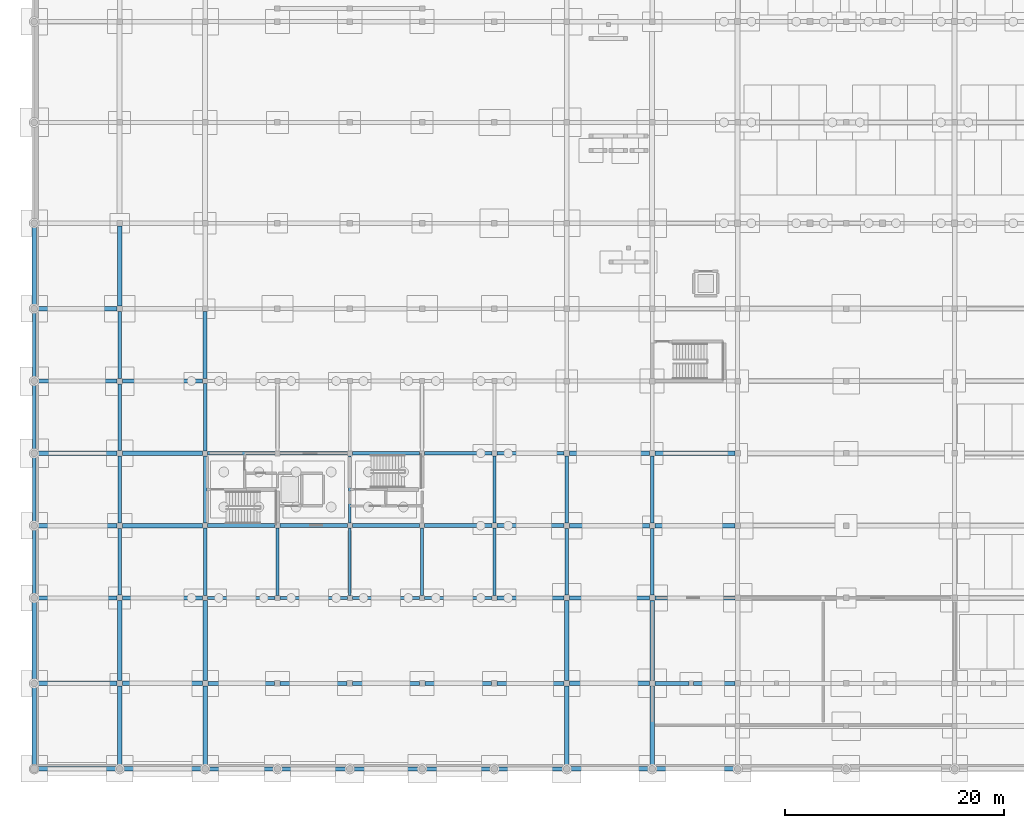
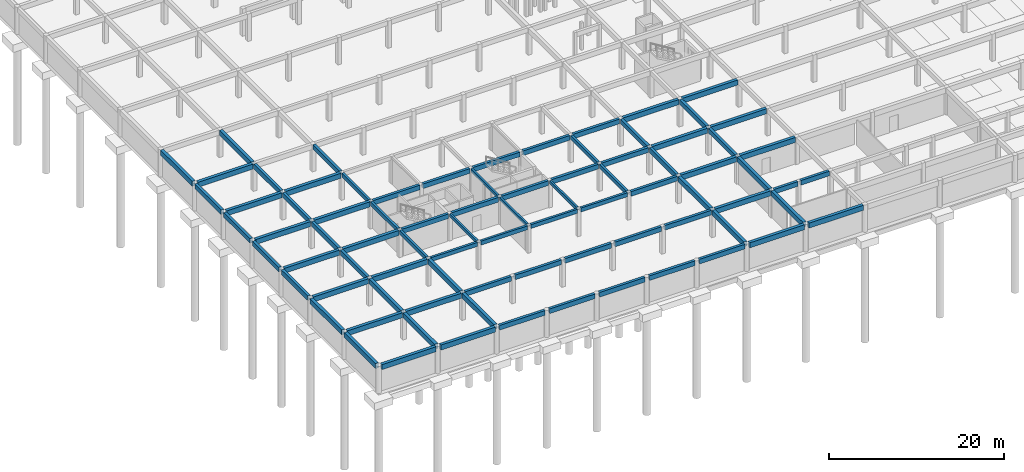
# One storey, part 15 of 37: 83 beams.
"""IFC4 building model written with IfcOpenShell, lengths in metres."""

from ifc_helpers import new_model, si_unit, direction, frame, origin, origin_2d, place, context, subcontext, project, spatial, rectangle, extrude, material, material_profile, profile_set, type_object, element, save


model = new_model("IFC4")

# Units and contexts
model_context = context("Model", 3, precision=1e-05, world=origin(), true_north=direction((0.0, 1.0)))
body_context = subcontext(model_context, "Body", "Model", "MODEL_VIEW")
ifc_project = project(units=[si_unit("LENGTHUNIT", "METRE"), si_unit("AREAUNIT", "SQUARE_METRE"), si_unit("VOLUMEUNIT", "CUBIC_METRE"), si_unit("PLANEANGLEUNIT", "RADIAN"), si_unit("MASSUNIT", "GRAM", prefix="KILO")], contexts=[model_context])

# Site, building, storey
site_placement = place(None, origin())
site = spatial("IfcSite", under=ifc_project, at=site_placement, CompositionType="ELEMENT")
building_placement = place(site_placement, origin())
building = spatial("IfcBuilding", under=site, at=building_placement, Name="Kernevlak Ridge Housing Community", CompositionType="ELEMENT")
storey_placement = place(building_placement, frame((0.0, 0.0, -3.800048828125)))
storey = spatial("IfcBuildingStorey", under=building, at=storey_placement, Name="B1", CompositionType="ELEMENT", Elevation=-3.800048828125)

# Beams
ifc_material = material(Name="Concrete C35/45", Category="concrete")
ifc_material_profile_1 = material_profile(ifc_material, rectangle(XDim=0.39990234375, YDim=0.699951171875, at=origin_2d()), Name="RC 400x700")
ifc_profile_set_1 = profile_set([ifc_material_profile_1], Name="Concrete C35/45")
beam_type_1 = type_object("IfcBeamType", Name="B-01", PredefinedType="BEAM", material=ifc_profile_set_1)
beam_1_placement = place(storey_placement, frame((0.35009765625, 0.0, 3.449951171875), z_axis=(1.0, 0.0, 0.0), x_axis=(0.0, 1.0, 0.0)))
element("IfcBeam", 1, at=beam_1_placement, inside=storey, type_object=beam_type_1, Name="Beam B-01 B1 1533", PredefinedType="BEAM", context=body_context, shape_type="SweptSolid", body=[
    extrude(rectangle(XDim=0.39990234375, YDim=0.699951171875, at=origin_2d()), origin(), (0.0, 0.0, 1.0), 7.14990234375),
])
beam_2_placement = place(storey_placement, frame((8.10009765625, 0.0, 3.449951171875), z_axis=(1.0, 0.0, 0.0), x_axis=(0.0, 1.0, 0.0)))
element("IfcBeam", 2, at=beam_2_placement, inside=storey, type_object=beam_type_1, Name="Beam B-01 B1 1534", PredefinedType="BEAM", context=body_context, shape_type="SweptSolid", body=[
    extrude(rectangle(XDim=0.39990234375, YDim=0.699951171875, at=origin_2d()), origin(), (0.0, 0.0, 1.0), 7.199951171875),
])
beam_3_placement = place(storey_placement, frame((48.89990234375, 0.0, 3.449951171875), z_axis=(1.0, 0.0, 0.0), x_axis=(0.0, 1.0, 0.0)))
element("IfcBeam", 3, at=beam_3_placement, inside=storey, type_object=beam_type_1, Name="Beam B-01 B1 1540", PredefinedType="BEAM", context=body_context, shape_type="SweptSolid", body=[
    extrude(rectangle(XDim=0.39990234375, YDim=0.699951171875, at=origin_2d()), origin(), (0.0, 0.0, 1.0), 7.2001953125),
])
beam_4_placement = place(storey_placement, frame((56.699951171875, 0.0, 3.449951171875), z_axis=(1.0, 0.0, 0.0), x_axis=(0.0, 1.0, 0.0)))
element("IfcBeam", 4, at=beam_4_placement, inside=storey, type_object=beam_type_1, Name="Beam B-01 B1 1541", PredefinedType="BEAM", context=body_context, shape_type="SweptSolid", body=[
    extrude(rectangle(XDim=0.39990234375, YDim=0.699951171875, at=origin_2d()), origin(), (0.0, 0.0, 1.0), 7.199951171875),
])
beam_5_placement = place(storey_placement, frame((0.300048828125, 7.800048828125, 3.449951171875), z_axis=(1.0, 0.0, 0.0), x_axis=(0.0, 1.0, 0.0)))
element("IfcBeam", 5, at=beam_5_placement, inside=storey, type_object=beam_type_1, Name="Beam B-01 B1 1558", PredefinedType="BEAM", context=body_context, shape_type="SweptSolid", body=[
    extrude(rectangle(XDim=0.39990234375, YDim=0.699951171875, at=origin_2d()), origin(), (0.0, 0.0, 1.0), 7.25),
])
beam_6_placement = place(storey_placement, frame((8.050048828125, 7.800048828125, 3.449951171875), z_axis=(1.0, 0.0, 0.0), x_axis=(0.0, 1.0, 0.0)))
element("IfcBeam", 6, at=beam_6_placement, inside=storey, type_object=beam_type_1, Name="Beam B-01 B1 1559", PredefinedType="BEAM", context=body_context, shape_type="SweptSolid", body=[
    extrude(rectangle(XDim=0.39990234375, YDim=0.699951171875, at=origin_2d()), origin(), (0.0, 0.0, 1.0), 7.300048828125),
])
beam_7_placement = place(storey_placement, frame((48.85009765625, 7.800048828125, 3.449951171875), z_axis=(1.0, 0.0, 0.0), x_axis=(0.0, 1.0, 0.0)))
element("IfcBeam", 7, at=beam_7_placement, inside=storey, type_object=beam_type_1, Name="Beam B-01 B1 1565", PredefinedType="BEAM", context=body_context, shape_type="SweptSolid", body=[
    extrude(rectangle(XDim=0.39990234375, YDim=0.699951171875, at=origin_2d()), origin(), (0.0, 0.0, 1.0), 7.2998046875),
])
beam_8_placement = place(storey_placement, frame((0.300048828125, 15.60009765625, 3.449951171875), z_axis=(1.0, 0.0, 0.0), x_axis=(0.0, 1.0, 0.0)))
element("IfcBeam", 8, at=beam_8_placement, inside=storey, type_object=beam_type_1, Name="Beam B-01 B1 1585", PredefinedType="BEAM", context=body_context, shape_type="SweptSolid", body=[
    extrude(rectangle(XDim=0.39990234375, YDim=0.699951171875, at=origin_2d()), origin(), (0.0, 0.0, 1.0), 7.25),
])
beam_9_placement = place(storey_placement, frame((8.050048828125, 15.60009765625, 3.449951171875), z_axis=(1.0, 0.0, 0.0), x_axis=(0.0, 1.0, 0.0)))
element("IfcBeam", 9, at=beam_9_placement, inside=storey, type_object=beam_type_1, Name="Beam B-01 B1 1586", PredefinedType="BEAM", context=body_context, shape_type="SweptSolid", body=[
    extrude(rectangle(XDim=0.39990234375, YDim=0.699951171875, at=origin_2d()), origin(), (0.0, 0.0, 1.0), 7.324951171875),
])
beam_10_placement = place(storey_placement, frame((48.85009765625, 15.60009765625, 3.449951171875), z_axis=(1.0, 0.0, 0.0), x_axis=(0.0, 1.0, 0.0)))
element("IfcBeam", 10, at=beam_10_placement, inside=storey, type_object=beam_type_1, Name="Beam B-01 B1 1588", PredefinedType="BEAM", context=body_context, shape_type="SweptSolid", body=[
    extrude(rectangle(XDim=0.39990234375, YDim=0.699951171875, at=origin_2d()), origin(), (0.0, 0.0, 1.0), 7.2998046875),
])
beam_11_placement = place(storey_placement, frame((56.64990234375, 15.60009765625, 3.449951171875), z_axis=(1.0, 0.0, 0.0), x_axis=(0.0, 1.0, 0.0)))
element("IfcBeam", 11, at=beam_11_placement, inside=storey, type_object=beam_type_1, Name="Beam B-01 B1 1589", PredefinedType="BEAM", context=body_context, shape_type="SweptSolid", body=[
    extrude(rectangle(XDim=0.39990234375, YDim=0.699951171875, at=origin_2d()), origin(), (0.0, 0.0, 1.0), 7.300048828125),
])
beam_12_placement = place(storey_placement, frame((0.300048828125, 22.199951171875, 3.449951171875), z_axis=(1.0, 0.0, 0.0), x_axis=(0.0, 1.0, 0.0)))
element("IfcBeam", 12, at=beam_12_placement, inside=storey, type_object=beam_type_1, Name="Beam B-01 B1 1599", PredefinedType="BEAM", context=body_context, shape_type="SweptSolid", body=[
    extrude(rectangle(XDim=0.39990234375, YDim=0.699951171875, at=origin_2d()), origin(), (0.0, 0.0, 1.0), 7.25),
])
beam_13_placement = place(storey_placement, frame((8.050048828125, 22.199951171875, 3.449951171875), z_axis=(1.0, 0.0, 0.0), x_axis=(0.0, 1.0, 0.0)))
element("IfcBeam", 13, at=beam_13_placement, inside=storey, type_object=beam_type_1, Name="Beam B-01 B1 1600", PredefinedType="BEAM", context=body_context, shape_type="SweptSolid", body=[
    extrude(rectangle(XDim=0.39990234375, YDim=0.699951171875, at=origin_2d()), origin(), (0.0, 0.0, 1.0), 7.324951171875),
])
beam_14_placement = place(storey_placement, frame((48.85009765625, 22.199951171875, 3.449951171875), z_axis=(1.0, 0.0, 0.0), x_axis=(0.0, 1.0, 0.0)))
element("IfcBeam", 14, at=beam_14_placement, inside=storey, type_object=beam_type_1, Name="Beam B-01 B1 1602", PredefinedType="BEAM", context=body_context, shape_type="SweptSolid", body=[
    extrude(rectangle(XDim=0.39990234375, YDim=0.699951171875, at=origin_2d()), origin(), (0.0, 0.0, 1.0), 7.2998046875),
])
beam_15_placement = place(storey_placement, frame((56.64990234375, 22.199951171875, 3.449951171875), z_axis=(1.0, 0.0, 0.0), x_axis=(0.0, 1.0, 0.0)))
element("IfcBeam", 15, at=beam_15_placement, inside=storey, type_object=beam_type_1, Name="Beam B-01 B1 1603", PredefinedType="BEAM", context=body_context, shape_type="SweptSolid", body=[
    extrude(rectangle(XDim=0.39990234375, YDim=0.699951171875, at=origin_2d()), origin(), (0.0, 0.0, 1.0), 7.300048828125),
])
beam_16_placement = place(storey_placement, frame((0.300048828125, 28.800048828125, 3.449951171875), z_axis=(1.0, 0.0, 0.0), x_axis=(0.0, 1.0, 0.0)))
element("IfcBeam", 16, at=beam_16_placement, inside=storey, type_object=beam_type_1, Name="Beam B-01 B1 1613", PredefinedType="BEAM", context=body_context, shape_type="SweptSolid", body=[
    extrude(rectangle(XDim=0.39990234375, YDim=0.699951171875, at=origin_2d()), origin(), (0.0, 0.0, 1.0), 7.25),
])
beam_17_placement = place(storey_placement, frame((8.050048828125, 28.800048828125, 3.449951171875), z_axis=(1.0, 0.0, 0.0), x_axis=(0.0, 1.0, 0.0)))
element("IfcBeam", 17, at=beam_17_placement, inside=storey, type_object=beam_type_1, Name="Beam B-01 B1 1614", PredefinedType="BEAM", context=body_context, shape_type="SweptSolid", body=[
    extrude(rectangle(XDim=0.39990234375, YDim=0.699951171875, at=origin_2d()), origin(), (0.0, 0.0, 1.0), 7.324951171875),
])
beam_18_placement = place(storey_placement, frame((48.85009765625, 28.800048828125, 3.449951171875), z_axis=(1.0, 0.0, 0.0), x_axis=(0.0, 1.0, 0.0)))
element("IfcBeam", 18, at=beam_18_placement, inside=storey, type_object=beam_type_1, Name="Beam B-01 B1 1616", PredefinedType="BEAM", context=body_context, shape_type="SweptSolid", body=[
    extrude(rectangle(XDim=0.39990234375, YDim=0.699951171875, at=origin_2d()), origin(), (0.0, 0.0, 1.0), 7.2998046875),
])
beam_19_placement = place(storey_placement, frame((56.64990234375, 28.800048828125, 3.449951171875), z_axis=(1.0, 0.0, 0.0), x_axis=(0.0, 1.0, 0.0)))
element("IfcBeam", 19, at=beam_19_placement, inside=storey, type_object=beam_type_1, Name="Beam B-01 B1 1617", PredefinedType="BEAM", context=body_context, shape_type="SweptSolid", body=[
    extrude(rectangle(XDim=0.39990234375, YDim=0.699951171875, at=origin_2d()), origin(), (0.0, 0.0, 1.0), 7.300048828125),
])
beam_20_placement = place(storey_placement, frame((0.300048828125, 35.39990234375, 3.449951171875), z_axis=(1.0, 0.0, 0.0), x_axis=(0.0, 1.0, 0.0)))
element("IfcBeam", 20, at=beam_20_placement, inside=storey, type_object=beam_type_1, Name="Beam B-01 B1 1627", PredefinedType="BEAM", context=body_context, shape_type="SweptSolid", body=[
    extrude(rectangle(XDim=0.39990234375, YDim=0.699951171875, at=origin_2d()), origin(), (0.0, 0.0, 1.0), 7.25),
])
beam_21_placement = place(storey_placement, frame((8.050048828125, 35.39990234375, 3.449951171875), z_axis=(1.0, 0.0, 0.0), x_axis=(0.0, 1.0, 0.0)))
element("IfcBeam", 21, at=beam_21_placement, inside=storey, type_object=beam_type_1, Name="Beam B-01 B1 1628", PredefinedType="BEAM", context=body_context, shape_type="SweptSolid", body=[
    extrude(rectangle(XDim=0.39990234375, YDim=0.699951171875, at=origin_2d()), origin(), (0.0, 0.0, 1.0), 7.324951171875),
])
beam_22_placement = place(storey_placement, frame((0.300048828125, 42.0, 3.449951171875), z_axis=(1.0, 0.0, 0.0), x_axis=(0.0, 1.0, 0.0)))
element("IfcBeam", 22, at=beam_22_placement, inside=storey, type_object=beam_type_1, Name="Beam B-01 B1 1641", PredefinedType="BEAM", context=body_context, shape_type="SweptSolid", body=[
    extrude(rectangle(XDim=0.39990234375, YDim=0.699951171875, at=origin_2d()), origin(), (0.0, 0.0, 1.0), 7.25),
])
beam_23_placement = place(storey_placement, frame((0.0, 0.35009765625, 3.449951171875), z_axis=(0.0, 1.0, 0.0), x_axis=(-1.0, 0.0, 0.0)))
element("IfcBeam", 23, at=beam_23_placement, inside=storey, type_object=beam_type_1, Name="Beam B-01 B1 1846", PredefinedType="BEAM", context=body_context, shape_type="SweptSolid", body=[
    extrude(rectangle(XDim=0.39990234375, YDim=0.699951171875, at=origin_2d()), origin(), (0.0, 0.0, 1.0), 7.14990234375),
])
for number, where, z_axis, x_axis, name in (
    (24, (0.0, 8.10009765625, 3.449951171875), (0.0, 1.0, 0.0), (-1.0, 0.0, 0.0), "Beam B-01 B1 1847"),
    (25, (0.0, 42.300048828125, 3.449951171875), (0.0, 1.0, 0.0), (-1.0, 0.0, 0.0), "Beam B-01 B1 1852"),
):
    element("IfcBeam", number, at=place(storey_placement, frame(where, z_axis=z_axis, x_axis=x_axis)), inside=storey, type_object=beam_type_1, Name=name, PredefinedType="BEAM", context=body_context, shape_type="SweptSolid", body=[
        extrude(rectangle(XDim=0.39990234375, YDim=0.699951171875, at=origin_2d()), origin(), (0.0, 0.0, 1.0), 7.199951171875),
    ])
beam_24_placement = place(storey_placement, frame((7.800048828125, 0.300048828125, 3.449951171875), z_axis=(0.0, 1.0, 0.0), x_axis=(-1.0, 0.0, 0.0)))
element("IfcBeam", 26, at=beam_24_placement, inside=storey, type_object=beam_type_1, Name="Beam B-01 B1 1862", PredefinedType="BEAM", context=body_context, shape_type="SweptSolid", body=[
    extrude(rectangle(XDim=0.39990234375, YDim=0.699951171875, at=origin_2d()), origin(), (0.0, 0.0, 1.0), 7.25),
])
for number, where, z_axis, x_axis, name in (
    (27, (7.800048828125, 8.050048828125, 3.449951171875), (0.0, 1.0, 0.0), (-1.0, 0.0, 0.0), "Beam B-01 B1 1863"),
    (28, (7.800048828125, 42.25, 3.449951171875), (0.0, 1.0, 0.0), (-1.0, 0.0, 0.0), "Beam B-01 B1 1868"),
):
    element("IfcBeam", number, at=place(storey_placement, frame(where, z_axis=z_axis, x_axis=x_axis)), inside=storey, type_object=beam_type_1, Name=name, PredefinedType="BEAM", context=body_context, shape_type="SweptSolid", body=[
        extrude(rectangle(XDim=0.39990234375, YDim=0.699951171875, at=origin_2d()), origin(), (0.0, 0.0, 1.0), 7.300048828125),
    ])
beam_25_placement = place(storey_placement, frame((15.60009765625, 0.300048828125, 3.449951171875), z_axis=(0.0, 1.0, 0.0), x_axis=(-1.0, 0.0, 0.0)))
element("IfcBeam", 29, at=beam_25_placement, inside=storey, type_object=beam_type_1, Name="Beam B-01 B1 1878", PredefinedType="BEAM", context=body_context, shape_type="SweptSolid", body=[
    extrude(rectangle(XDim=0.39990234375, YDim=0.699951171875, at=origin_2d()), origin(), (0.0, 0.0, 1.0), 7.25),
])
beam_26_placement = place(storey_placement, frame((15.60009765625, 8.050048828125, 3.449951171875), z_axis=(0.0, 1.0, 0.0), x_axis=(-1.0, 0.0, 0.0)))
element("IfcBeam", 30, at=beam_26_placement, inside=storey, type_object=beam_type_1, Name="Beam B-01 B1 1879", PredefinedType="BEAM", context=body_context, shape_type="SweptSolid", body=[
    extrude(rectangle(XDim=0.39990234375, YDim=0.699951171875, at=origin_2d()), origin(), (0.0, 0.0, 1.0), 7.324951171875),
])
beam_27_placement = place(storey_placement, frame((48.60009765625, 0.300048828125, 3.449951171875), z_axis=(0.0, 1.0, 0.0), x_axis=(-1.0, 0.0, 0.0)))
element("IfcBeam", 31, at=beam_27_placement, inside=storey, type_object=beam_type_1, Name="Beam B-01 B1 1888", PredefinedType="BEAM", context=body_context, shape_type="SweptSolid", body=[
    extrude(rectangle(XDim=0.39990234375, YDim=0.699951171875, at=origin_2d()), origin(), (0.0, 0.0, 1.0), 7.25),
])
beam_28_placement = place(storey_placement, frame((48.60009765625, 8.050048828125, 3.449951171875), z_axis=(0.0, 1.0, 0.0), x_axis=(-1.0, 0.0, 0.0)))
element("IfcBeam", 32, at=beam_28_placement, inside=storey, type_object=beam_type_1, Name="Beam B-01 B1 1889", PredefinedType="BEAM", context=body_context, shape_type="SweptSolid", body=[
    extrude(rectangle(XDim=0.39990234375, YDim=0.699951171875, at=origin_2d()), origin(), (0.0, 0.0, 1.0), 7.300048828125),
])
beam_29_placement = place(storey_placement, frame((56.39990234375, 0.300048828125, 3.449951171875), z_axis=(0.0, 1.0, 0.0), x_axis=(-1.0, 0.0, 0.0)))
element("IfcBeam", 33, at=beam_29_placement, inside=storey, type_object=beam_type_1, Name="Beam B-01 B1 1901", PredefinedType="BEAM", context=body_context, shape_type="SweptSolid", body=[
    extrude(rectangle(XDim=0.39990234375, YDim=0.699951171875, at=origin_2d()), origin(), (0.0, 0.0, 1.0), 7.25),
])
beam_30_placement = place(storey_placement, frame((56.39990234375, 8.050048828125, 3.449951171875), z_axis=(0.0, 1.0, 0.0), x_axis=(-1.0, 0.0, 0.0)))
element("IfcBeam", 34, at=beam_30_placement, inside=storey, type_object=beam_type_1, Name="Beam B-01 B1 1902", PredefinedType="BEAM", context=body_context, shape_type="SweptSolid", body=[
    extrude(rectangle(XDim=0.39990234375, YDim=0.699951171875, at=origin_2d()), origin(), (0.0, 0.0, 1.0), 7.300048828125),
])
ifc_material_profile_2 = material_profile(ifc_material, rectangle(XDim=0.35009765625, YDim=0.64990234375, at=origin_2d()), Name="RC 350x650")
ifc_profile_set_2 = profile_set([ifc_material_profile_2], Name="Concrete C35/45")
beam_type_2 = type_object("IfcBeamType", Name="B-02", PredefinedType="BEAM", material=ifc_profile_set_2)
beam_31_placement = place(storey_placement, frame((15.824951171875, 22.199951171875, 3.47509765625), z_axis=(1.0, 0.0, 0.0), x_axis=(0.0, 1.0, 0.0)))
element("IfcBeam", 35, at=beam_31_placement, inside=storey, type_object=beam_type_2, Name="Beam B-02 B1 1283", PredefinedType="BEAM", context=body_context, shape_type="SweptSolid", body=[
    extrude(rectangle(XDim=0.35009765625, YDim=0.64990234375, at=origin_2d()), origin(), (0.0, 0.0, 1.0), 6.150146484375),
])
beam_32_placement = place(storey_placement, frame((22.425048828125, 22.199951171875, 3.47509765625), z_axis=(1.0, 0.0, 0.0), x_axis=(0.0, 1.0, 0.0)))
element("IfcBeam", 36, at=beam_32_placement, inside=storey, type_object=beam_type_2, Name="Beam B-02 B1 1284", PredefinedType="BEAM", context=body_context, shape_type="SweptSolid", body=[
    extrude(rectangle(XDim=0.35009765625, YDim=0.64990234375, at=origin_2d()), origin(), (0.0, 0.0, 1.0), 6.14990234375),
])
beam_33_placement = place(storey_placement, frame((29.02490234375, 22.199951171875, 3.47509765625), z_axis=(1.0, 0.0, 0.0), x_axis=(0.0, 1.0, 0.0)))
element("IfcBeam", 37, at=beam_33_placement, inside=storey, type_object=beam_type_2, Name="Beam B-02 B1 1285", PredefinedType="BEAM", context=body_context, shape_type="SweptSolid", body=[
    extrude(rectangle(XDim=0.35009765625, YDim=0.64990234375, at=origin_2d()), origin(), (0.0, 0.0, 1.0), 6.150146484375),
])
beam_34_placement = place(storey_placement, frame((35.625, 22.199951171875, 3.47509765625), z_axis=(1.0, 0.0, 0.0), x_axis=(0.0, 1.0, 0.0)))
element("IfcBeam", 38, at=beam_34_placement, inside=storey, type_object=beam_type_2, Name="Beam B-02 B1 1286", PredefinedType="BEAM", context=body_context, shape_type="SweptSolid", body=[
    extrude(rectangle(XDim=0.35009765625, YDim=0.64990234375, at=origin_2d()), origin(), (0.0, 0.0, 1.0), 6.14990234375),
])
beam_35_placement = place(storey_placement, frame((15.824951171875, 28.800048828125, 3.47509765625), z_axis=(1.0, 0.0, 0.0), x_axis=(0.0, 1.0, 0.0)))
element("IfcBeam", 39, at=beam_35_placement, inside=storey, type_object=beam_type_2, Name="Beam B-02 B1 1287", PredefinedType="BEAM", context=body_context, shape_type="SweptSolid", body=[
    extrude(rectangle(XDim=0.35009765625, YDim=0.64990234375, at=origin_2d()), origin(), (0.0, 0.0, 1.0), 6.150146484375),
])
beam_36_placement = place(storey_placement, frame((22.425048828125, 28.800048828125, 3.47509765625), z_axis=(1.0, 0.0, 0.0), x_axis=(0.0, 1.0, 0.0)))
element("IfcBeam", 40, at=beam_36_placement, inside=storey, type_object=beam_type_2, Name="Beam B-02 B1 1288", PredefinedType="BEAM", context=body_context, shape_type="SweptSolid", body=[
    extrude(rectangle(XDim=0.35009765625, YDim=0.64990234375, at=origin_2d()), origin(), (0.0, 0.0, 1.0), 6.14990234375),
])
beam_37_placement = place(storey_placement, frame((29.02490234375, 28.800048828125, 3.47509765625), z_axis=(1.0, 0.0, 0.0), x_axis=(0.0, 1.0, 0.0)))
element("IfcBeam", 41, at=beam_37_placement, inside=storey, type_object=beam_type_2, Name="Beam B-02 B1 1289", PredefinedType="BEAM", context=body_context, shape_type="SweptSolid", body=[
    extrude(rectangle(XDim=0.35009765625, YDim=0.64990234375, at=origin_2d()), origin(), (0.0, 0.0, 1.0), 6.150146484375),
])
beam_38_placement = place(storey_placement, frame((35.625, 28.800048828125, 3.47509765625), z_axis=(1.0, 0.0, 0.0), x_axis=(0.0, 1.0, 0.0)))
element("IfcBeam", 42, at=beam_38_placement, inside=storey, type_object=beam_type_2, Name="Beam B-02 B1 1290", PredefinedType="BEAM", context=body_context, shape_type="SweptSolid", body=[
    extrude(rectangle(XDim=0.35009765625, YDim=0.64990234375, at=origin_2d()), origin(), (0.0, 0.0, 1.0), 6.14990234375),
])
for number, where, z_axis, x_axis, name in (
    (43, (15.89990234375, 0.0, 3.47509765625), (1.0, 0.0, 0.0), (0.0, 1.0, 0.0), "Beam B-02 B1 1535"),
    (44, (22.5, 0.0, 3.47509765625), (1.0, 0.0, 0.0), (0.0, 1.0, 0.0), "Beam B-02 B1 1536"),
    (45, (29.10009765625, 0.0, 3.47509765625), (1.0, 0.0, 0.0), (0.0, 1.0, 0.0), "Beam B-02 B1 1537"),
    (46, (35.699951171875, 0.0, 3.47509765625), (1.0, 0.0, 0.0), (0.0, 1.0, 0.0), "Beam B-02 B1 1538"),
    (47, (42.300048828125, 0.0, 3.47509765625), (1.0, 0.0, 0.0), (0.0, 1.0, 0.0), "Beam B-02 B1 1539"),
):
    element("IfcBeam", number, at=place(storey_placement, frame(where, z_axis=z_axis, x_axis=x_axis)), inside=storey, type_object=beam_type_2, Name=name, PredefinedType="BEAM", context=body_context, shape_type="SweptSolid", body=[
        extrude(rectangle(XDim=0.35009765625, YDim=0.64990234375, at=origin_2d()), origin(), (0.0, 0.0, 1.0), 6.0),
    ])
beam_39_placement = place(storey_placement, frame((15.85009765625, 7.800048828125, 3.47509765625), z_axis=(1.0, 0.0, 0.0), x_axis=(0.0, 1.0, 0.0)))
element("IfcBeam", 48, at=beam_39_placement, inside=storey, type_object=beam_type_2, Name="Beam B-02 B1 1560", PredefinedType="BEAM", context=body_context, shape_type="SweptSolid", body=[
    extrude(rectangle(XDim=0.35009765625, YDim=0.64990234375, at=origin_2d()), origin(), (0.0, 0.0, 1.0), 6.099853515625),
])
beam_40_placement = place(storey_placement, frame((22.449951171875, 7.800048828125, 3.47509765625), z_axis=(1.0, 0.0, 0.0), x_axis=(0.0, 1.0, 0.0)))
element("IfcBeam", 49, at=beam_40_placement, inside=storey, type_object=beam_type_2, Name="Beam B-02 B1 1561", PredefinedType="BEAM", context=body_context, shape_type="SweptSolid", body=[
    extrude(rectangle(XDim=0.35009765625, YDim=0.64990234375, at=origin_2d()), origin(), (0.0, 0.0, 1.0), 6.10009765625),
])
beam_41_placement = place(storey_placement, frame((29.050048828125, 7.800048828125, 3.47509765625), z_axis=(1.0, 0.0, 0.0), x_axis=(0.0, 1.0, 0.0)))
element("IfcBeam", 50, at=beam_41_placement, inside=storey, type_object=beam_type_2, Name="Beam B-02 B1 1562", PredefinedType="BEAM", context=body_context, shape_type="SweptSolid", body=[
    extrude(rectangle(XDim=0.35009765625, YDim=0.64990234375, at=origin_2d()), origin(), (0.0, 0.0, 1.0), 6.099853515625),
])
for number, where, z_axis, x_axis, name in (
    (51, (35.64990234375, 7.800048828125, 3.47509765625), (1.0, 0.0, 0.0), (0.0, 1.0, 0.0), "Beam B-02 B1 1563"),
    (52, (42.25, 7.800048828125, 3.47509765625), (1.0, 0.0, 0.0), (0.0, 1.0, 0.0), "Beam B-02 B1 1564"),
):
    element("IfcBeam", number, at=place(storey_placement, frame(where, z_axis=z_axis, x_axis=x_axis)), inside=storey, type_object=beam_type_2, Name=name, PredefinedType="BEAM", context=body_context, shape_type="SweptSolid", body=[
        extrude(rectangle(XDim=0.35009765625, YDim=0.64990234375, at=origin_2d()), origin(), (0.0, 0.0, 1.0), 6.10009765625),
    ])
beam_42_placement = place(storey_placement, frame((56.64990234375, 7.800048828125, 3.47509765625), z_axis=(1.0, 0.0, 0.0), x_axis=(0.0, 1.0, 0.0)))
element("IfcBeam", 53, at=beam_42_placement, inside=storey, type_object=beam_type_2, Name="Beam B-02 B1 1566", PredefinedType="BEAM", context=body_context, shape_type="SweptSolid", body=[
    extrude(rectangle(XDim=0.35009765625, YDim=0.64990234375, at=origin_2d()), origin(), (0.0, 0.0, 1.0), 3.10009765625),
])
beam_43_placement = place(storey_placement, frame((60.14990234375, 7.800048828125, 3.47509765625), z_axis=(1.0, 0.0, 0.0), x_axis=(0.0, 1.0, 0.0)))
element("IfcBeam", 54, at=beam_43_placement, inside=storey, type_object=beam_type_2, Name="Beam B-02 B1 1567", PredefinedType="BEAM", context=body_context, shape_type="SweptSolid", body=[
    extrude(rectangle(XDim=0.35009765625, YDim=0.64990234375, at=origin_2d()), origin(), (0.0, 0.0, 1.0), 3.800048828125),
])
for number, where, z_axis, x_axis, name in (
    (55, (42.22509765625, 15.60009765625, 3.47509765625), (1.0, 0.0, 0.0), (0.0, 1.0, 0.0), "Beam B-02 B1 1587"),
    (56, (42.22509765625, 22.199951171875, 3.47509765625), (1.0, 0.0, 0.0), (0.0, 1.0, 0.0), "Beam B-02 B1 1601"),
    (57, (42.22509765625, 28.800048828125, 3.47509765625), (1.0, 0.0, 0.0), (0.0, 1.0, 0.0), "Beam B-02 B1 1615"),
):
    element("IfcBeam", number, at=place(storey_placement, frame(where, z_axis=z_axis, x_axis=x_axis)), inside=storey, type_object=beam_type_2, Name=name, PredefinedType="BEAM", context=body_context, shape_type="SweptSolid", body=[
        extrude(rectangle(XDim=0.35009765625, YDim=0.64990234375, at=origin_2d()), origin(), (0.0, 0.0, 1.0), 6.125),
    ])
for number, where, z_axis, x_axis, name in (
    (58, (0.0, 15.89990234375, 3.47509765625), (0.0, 1.0, 0.0), (-1.0, 0.0, 0.0), "Beam B-02 B1 1848"),
    (59, (0.0, 22.5, 3.47509765625), (0.0, 1.0, 0.0), (-1.0, 0.0, 0.0), "Beam B-02 B1 1849"),
    (60, (0.0, 29.10009765625, 3.47509765625), (0.0, 1.0, 0.0), (-1.0, 0.0, 0.0), "Beam B-02 B1 1850"),
    (61, (0.0, 35.699951171875, 3.47509765625), (0.0, 1.0, 0.0), (-1.0, 0.0, 0.0), "Beam B-02 B1 1851"),
):
    element("IfcBeam", number, at=place(storey_placement, frame(where, z_axis=z_axis, x_axis=x_axis)), inside=storey, type_object=beam_type_2, Name=name, PredefinedType="BEAM", context=body_context, shape_type="SweptSolid", body=[
        extrude(rectangle(XDim=0.35009765625, YDim=0.64990234375, at=origin_2d()), origin(), (0.0, 0.0, 1.0), 6.0),
    ])
beam_44_placement = place(storey_placement, frame((7.800048828125, 15.85009765625, 3.47509765625), z_axis=(0.0, 1.0, 0.0), x_axis=(-1.0, 0.0, 0.0)))
element("IfcBeam", 62, at=beam_44_placement, inside=storey, type_object=beam_type_2, Name="Beam B-02 B1 1864", PredefinedType="BEAM", context=body_context, shape_type="SweptSolid", body=[
    extrude(rectangle(XDim=0.35009765625, YDim=0.64990234375, at=origin_2d()), origin(), (0.0, 0.0, 1.0), 6.099853515625),
])
beam_45_placement = place(storey_placement, frame((7.800048828125, 22.449951171875, 3.47509765625), z_axis=(0.0, 1.0, 0.0), x_axis=(-1.0, 0.0, 0.0)))
element("IfcBeam", 63, at=beam_45_placement, inside=storey, type_object=beam_type_2, Name="Beam B-02 B1 1865", PredefinedType="BEAM", context=body_context, shape_type="SweptSolid", body=[
    extrude(rectangle(XDim=0.35009765625, YDim=0.64990234375, at=origin_2d()), origin(), (0.0, 0.0, 1.0), 6.10009765625),
])
beam_46_placement = place(storey_placement, frame((7.800048828125, 29.050048828125, 3.47509765625), z_axis=(0.0, 1.0, 0.0), x_axis=(-1.0, 0.0, 0.0)))
element("IfcBeam", 64, at=beam_46_placement, inside=storey, type_object=beam_type_2, Name="Beam B-02 B1 1866", PredefinedType="BEAM", context=body_context, shape_type="SweptSolid", body=[
    extrude(rectangle(XDim=0.35009765625, YDim=0.64990234375, at=origin_2d()), origin(), (0.0, 0.0, 1.0), 6.099853515625),
])
beam_47_placement = place(storey_placement, frame((7.800048828125, 35.64990234375, 3.47509765625), z_axis=(0.0, 1.0, 0.0), x_axis=(-1.0, 0.0, 0.0)))
element("IfcBeam", 65, at=beam_47_placement, inside=storey, type_object=beam_type_2, Name="Beam B-02 B1 1867", PredefinedType="BEAM", context=body_context, shape_type="SweptSolid", body=[
    extrude(rectangle(XDim=0.35009765625, YDim=0.64990234375, at=origin_2d()), origin(), (0.0, 0.0, 1.0), 6.10009765625),
])
beam_48_placement = place(storey_placement, frame((15.60009765625, 35.625, 3.47509765625), z_axis=(0.0, 1.0, 0.0), x_axis=(-1.0, 0.0, 0.0)))
element("IfcBeam", 66, at=beam_48_placement, inside=storey, type_object=beam_type_2, Name="Beam B-02 B1 1880", PredefinedType="BEAM", context=body_context, shape_type="SweptSolid", body=[
    extrude(rectangle(XDim=0.35009765625, YDim=0.64990234375, at=origin_2d()), origin(), (0.0, 0.0, 1.0), 6.125),
])
beam_49_placement = place(storey_placement, frame((48.60009765625, 15.85009765625, 3.47509765625), z_axis=(0.0, 1.0, 0.0), x_axis=(-1.0, 0.0, 0.0)))
element("IfcBeam", 67, at=beam_49_placement, inside=storey, type_object=beam_type_2, Name="Beam B-02 B1 1890", PredefinedType="BEAM", context=body_context, shape_type="SweptSolid", body=[
    extrude(rectangle(XDim=0.35009765625, YDim=0.64990234375, at=origin_2d()), origin(), (0.0, 0.0, 1.0), 6.099853515625),
])
beam_50_placement = place(storey_placement, frame((48.60009765625, 22.449951171875, 3.47509765625), z_axis=(0.0, 1.0, 0.0), x_axis=(-1.0, 0.0, 0.0)))
element("IfcBeam", 68, at=beam_50_placement, inside=storey, type_object=beam_type_2, Name="Beam B-02 B1 1891", PredefinedType="BEAM", context=body_context, shape_type="SweptSolid", body=[
    extrude(rectangle(XDim=0.35009765625, YDim=0.64990234375, at=origin_2d()), origin(), (0.0, 0.0, 1.0), 6.10009765625),
])
beam_51_placement = place(storey_placement, frame((56.39990234375, 15.85009765625, 3.47509765625), z_axis=(0.0, 1.0, 0.0), x_axis=(-1.0, 0.0, 0.0)))
element("IfcBeam", 69, at=beam_51_placement, inside=storey, type_object=beam_type_2, Name="Beam B-02 B1 1903", PredefinedType="BEAM", context=body_context, shape_type="SweptSolid", body=[
    extrude(rectangle(XDim=0.35009765625, YDim=0.64990234375, at=origin_2d()), origin(), (0.0, 0.0, 1.0), 6.099853515625),
])
beam_52_placement = place(storey_placement, frame((56.39990234375, 22.449951171875, 3.47509765625), z_axis=(0.0, 1.0, 0.0), x_axis=(-1.0, 0.0, 0.0)))
element("IfcBeam", 70, at=beam_52_placement, inside=storey, type_object=beam_type_2, Name="Beam B-02 B1 1904", PredefinedType="BEAM", context=body_context, shape_type="SweptSolid", body=[
    extrude(rectangle(XDim=0.35009765625, YDim=0.64990234375, at=origin_2d()), origin(), (0.0, 0.0, 1.0), 6.10009765625),
])
ifc_material_profile_3 = material_profile(ifc_material, rectangle(XDim=0.25, YDim=0.449951171875, at=origin_2d()), Name="RC 250x450")
ifc_profile_set_3 = profile_set([ifc_material_profile_3], Name="Concrete C35/45")
beam_type_3 = type_object("IfcBeamType", Name="B-04", PredefinedType="T_BEAM", material=ifc_profile_set_3)
for number, where, z_axis, x_axis, name in (
    (71, (22.199951171875, 15.824951171875, 3.574951171875), (0.0, 1.0, 0.0), (-1.0, 0.0, 0.0), "Beam B-04 B1 1298"),
    (72, (28.800048828125, 15.824951171875, 3.574951171875), (0.0, 1.0, 0.0), (-1.0, 0.0, 0.0), "Beam B-04 B1 1300"),
):
    element("IfcBeam", number, at=place(storey_placement, frame(where, z_axis=z_axis, x_axis=x_axis)), inside=storey, type_object=beam_type_3, Name=name, PredefinedType="T_BEAM", context=body_context, shape_type="SweptSolid", body=[
        extrude(rectangle(XDim=0.25, YDim=0.449951171875, at=origin_2d()), origin(), (0.0, 0.0, 1.0), 6.150146484375),
    ])
beam_53_placement = place(storey_placement, frame((28.800048828125, 22.425048828125, 3.574951171875), z_axis=(0.0, 1.0, 0.0), x_axis=(-1.0, 0.0, 0.0)))
element("IfcBeam", 73, at=beam_53_placement, inside=storey, type_object=beam_type_3, Name="Beam B-04 B1 1301", PredefinedType="T_BEAM", context=body_context, shape_type="SweptSolid", body=[
    extrude(rectangle(XDim=0.25, YDim=0.449951171875, at=origin_2d()), origin(), (0.0, 0.0, 1.0), 6.14990234375),
])
beam_54_placement = place(storey_placement, frame((35.39990234375, 15.824951171875, 3.574951171875), z_axis=(0.0, 1.0, 0.0), x_axis=(-1.0, 0.0, 0.0)))
element("IfcBeam", 74, at=beam_54_placement, inside=storey, type_object=beam_type_3, Name="Beam B-04 B1 1303", PredefinedType="T_BEAM", context=body_context, shape_type="SweptSolid", body=[
    extrude(rectangle(XDim=0.25, YDim=0.449951171875, at=origin_2d()), origin(), (0.0, 0.0, 1.0), 6.150146484375),
])
ifc_material_profile_4 = material_profile(ifc_material, rectangle(XDim=0.300048828125, YDim=0.550048828125, at=origin_2d()), Name="RC 300x550")
ifc_profile_set_4 = profile_set([ifc_material_profile_4], Name="Concrete C35/45")
beam_type_4 = type_object("IfcBeamType", Name="SP-01", PredefinedType="SPANDREL", material=ifc_profile_set_4)
beam_55_placement = place(storey_placement, frame((15.824951171875, 15.60009765625, 3.525146484375), z_axis=(1.0, 0.0, 0.0), x_axis=(0.0, 1.0, 0.0)))
element("IfcBeam", 75, at=beam_55_placement, inside=storey, type_object=beam_type_4, Name="Beam SP-01 B1 1279", PredefinedType="SPANDREL", context=body_context, shape_type="SweptSolid", body=[
    extrude(rectangle(XDim=0.300048828125, YDim=0.550048828125, at=origin_2d()), origin(), (0.0, 0.0, 1.0), 6.150146484375),
])
beam_56_placement = place(storey_placement, frame((22.425048828125, 15.60009765625, 3.525146484375), z_axis=(1.0, 0.0, 0.0), x_axis=(0.0, 1.0, 0.0)))
element("IfcBeam", 76, at=beam_56_placement, inside=storey, type_object=beam_type_4, Name="Beam SP-01 B1 1280", PredefinedType="SPANDREL", context=body_context, shape_type="SweptSolid", body=[
    extrude(rectangle(XDim=0.300048828125, YDim=0.550048828125, at=origin_2d()), origin(), (0.0, 0.0, 1.0), 6.14990234375),
])
beam_57_placement = place(storey_placement, frame((29.02490234375, 15.60009765625, 3.525146484375), z_axis=(1.0, 0.0, 0.0), x_axis=(0.0, 1.0, 0.0)))
element("IfcBeam", 77, at=beam_57_placement, inside=storey, type_object=beam_type_4, Name="Beam SP-01 B1 1281", PredefinedType="SPANDREL", context=body_context, shape_type="SweptSolid", body=[
    extrude(rectangle(XDim=0.300048828125, YDim=0.550048828125, at=origin_2d()), origin(), (0.0, 0.0, 1.0), 6.150146484375),
])
beam_58_placement = place(storey_placement, frame((35.625, 15.60009765625, 3.525146484375), z_axis=(1.0, 0.0, 0.0), x_axis=(0.0, 1.0, 0.0)))
element("IfcBeam", 78, at=beam_58_placement, inside=storey, type_object=beam_type_4, Name="Beam SP-01 B1 1282", PredefinedType="SPANDREL", context=body_context, shape_type="SweptSolid", body=[
    extrude(rectangle(XDim=0.300048828125, YDim=0.550048828125, at=origin_2d()), origin(), (0.0, 0.0, 1.0), 6.14990234375),
])
beam_59_placement = place(storey_placement, frame((15.60009765625, 15.824951171875, 3.525146484375), z_axis=(0.0, 1.0, 0.0), x_axis=(-1.0, 0.0, 0.0)))
element("IfcBeam", 79, at=beam_59_placement, inside=storey, type_object=beam_type_4, Name="Beam SP-01 B1 1295", PredefinedType="SPANDREL", context=body_context, shape_type="SweptSolid", body=[
    extrude(rectangle(XDim=0.300048828125, YDim=0.550048828125, at=origin_2d()), origin(), (0.0, 0.0, 1.0), 6.150146484375),
])
beam_60_placement = place(storey_placement, frame((15.60009765625, 22.425048828125, 3.525146484375), z_axis=(0.0, 1.0, 0.0), x_axis=(-1.0, 0.0, 0.0)))
element("IfcBeam", 80, at=beam_60_placement, inside=storey, type_object=beam_type_4, Name="Beam SP-01 B1 1296", PredefinedType="SPANDREL", context=body_context, shape_type="SweptSolid", body=[
    extrude(rectangle(XDim=0.300048828125, YDim=0.550048828125, at=origin_2d()), origin(), (0.0, 0.0, 1.0), 6.14990234375),
])
for number, where, z_axis, x_axis, name in (
    (81, (15.60009765625, 29.02490234375, 3.525146484375), (0.0, 1.0, 0.0), (-1.0, 0.0, 0.0), "Beam SP-01 B1 1297"),
    (82, (42.0, 15.824951171875, 3.525146484375), (0.0, 1.0, 0.0), (-1.0, 0.0, 0.0), "Beam SP-01 B1 1305"),
):
    element("IfcBeam", number, at=place(storey_placement, frame(where, z_axis=z_axis, x_axis=x_axis)), inside=storey, type_object=beam_type_4, Name=name, PredefinedType="SPANDREL", context=body_context, shape_type="SweptSolid", body=[
        extrude(rectangle(XDim=0.300048828125, YDim=0.550048828125, at=origin_2d()), origin(), (0.0, 0.0, 1.0), 6.150146484375),
    ])
beam_61_placement = place(storey_placement, frame((42.0, 22.425048828125, 3.525146484375), z_axis=(0.0, 1.0, 0.0), x_axis=(-1.0, 0.0, 0.0)))
element("IfcBeam", 83, at=beam_61_placement, inside=storey, type_object=beam_type_4, Name="Beam SP-01 B1 1306", PredefinedType="SPANDREL", context=body_context, shape_type="SweptSolid", body=[
    extrude(rectangle(XDim=0.300048828125, YDim=0.550048828125, at=origin_2d()), origin(), (0.0, 0.0, 1.0), 6.14990234375),
])

save(model, "model.ifc")
